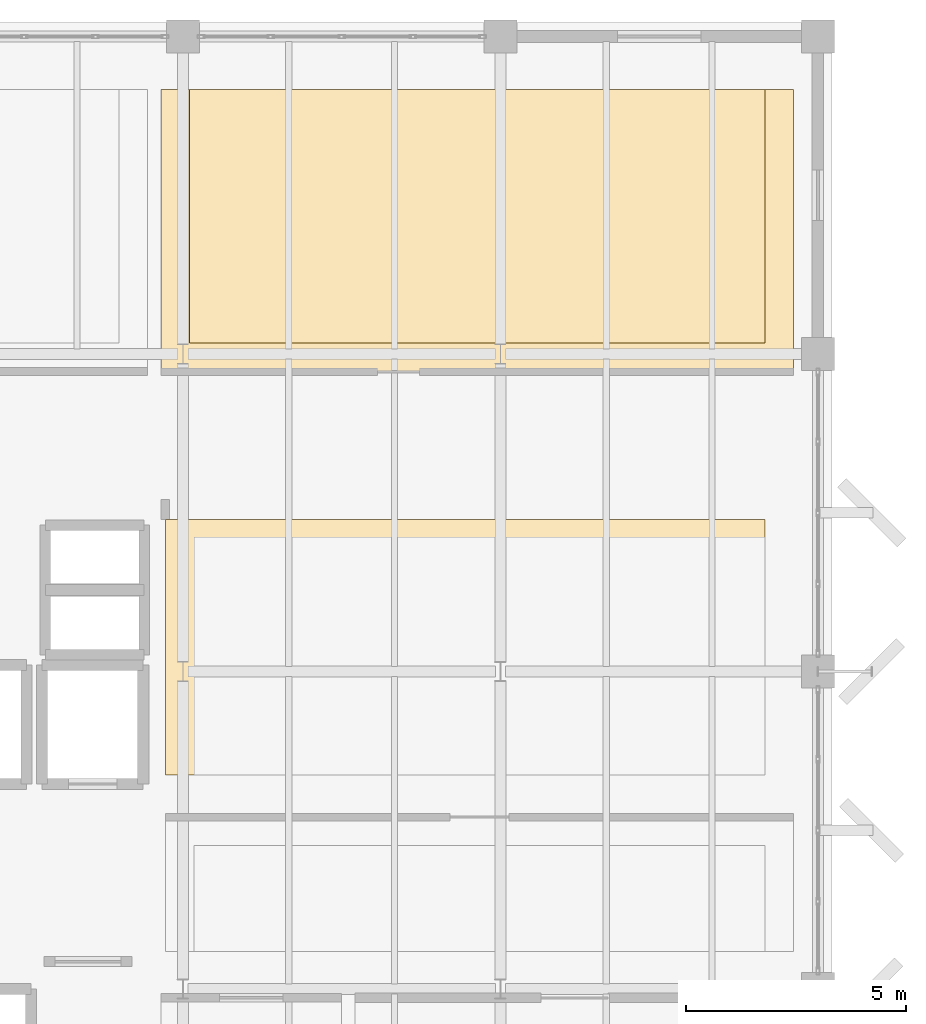
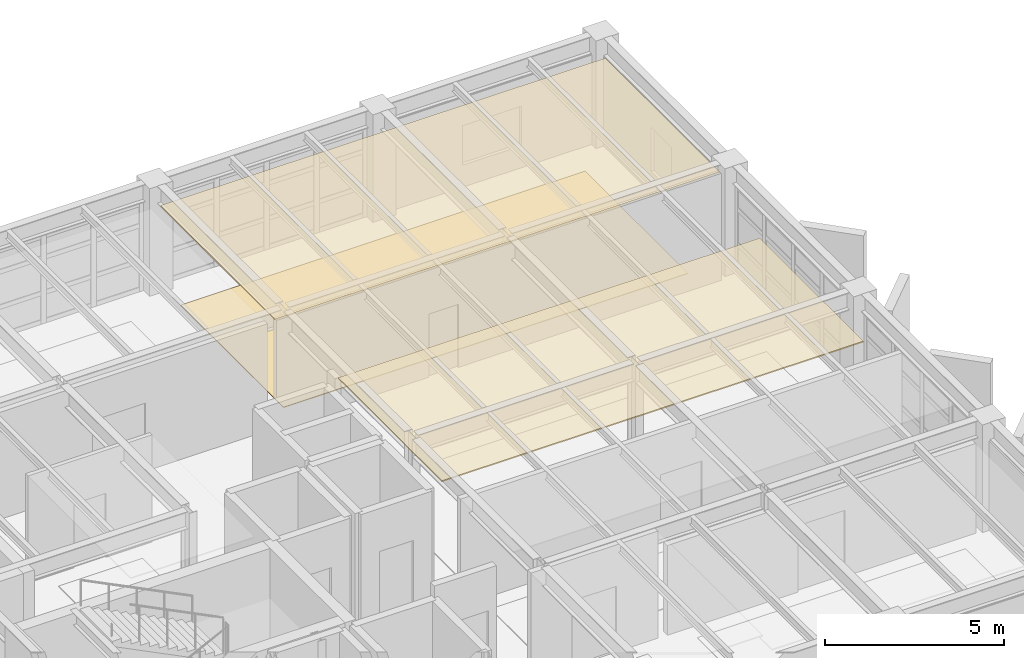
# One storey, part 24 of 24: 3 coverings.
"""IFC4 building model written with IfcOpenShell, lengths in metres."""

from ifc_helpers import new_model, si_unit, direction, frame, origin, place, context, subcontext, project, spatial, polyline, outline, extrude, material, layer, layer_set, type_object, element, save


model = new_model("IFC4")

# Units and contexts
model_context = context("Model", 3, precision=1e-05, world=origin(), true_north=direction((0.0, 1.0)))
body_context = subcontext(model_context, "Body", "Model", "MODEL_VIEW")
ifc_project = project(units=[si_unit("LENGTHUNIT", "METRE"), si_unit("AREAUNIT", "SQUARE_METRE"), si_unit("VOLUMEUNIT", "CUBIC_METRE"), si_unit("PLANEANGLEUNIT", "RADIAN"), si_unit("MASSUNIT", "GRAM", prefix="KILO")], contexts=[model_context])

# Site, building, storey
site_placement = place(None, origin())
site = spatial("IfcSite", under=ifc_project, at=site_placement, CompositionType="ELEMENT")
building_placement = place(site_placement, origin())
building = spatial("IfcBuilding", under=site, at=building_placement, Name="Kandorven Conservatory and Botanical Research Centre", CompositionType="ELEMENT")
storey_placement = place(building_placement, frame((0.0, 0.0, 21.0)))
storey = spatial("IfcBuildingStorey", under=building, at=storey_placement, Name="L05", CompositionType="ELEMENT", Elevation=21.0)

# Coverings
ifc_material_1 = material(Name="Perforated mineral-fibre acoustic ceiling tile", Category="gypsum")
ifc_layer_1 = layer(ifc_material_1, 0.0400390625)
ifc_layer_set_1 = layer_set([ifc_layer_1], Name="Perforated mineral-fibre acoustic ceiling tile")
covering_type_1 = type_object("IfcCoveringType", Name="Cov_Ceiling_1", PredefinedType="CEILING", material=ifc_layer_set_1)
covering_1_placement = place(storey_placement, frame((0.0, 0.0, 3.610107421875)))
element("IfcCovering", 1, at=covering_1_placement, inside=storey, type_object=covering_type_1, Name="Suspended acoustic ceiling CLG-01 (Botanical Curation Studio L05)", PredefinedType="CEILING", context=body_context, shape_type="SweptSolid", body=[
    extrude(outline(polyline([(27.199951171875, 18.050048828125), (40.800048828125, 18.050048828125), (40.800048828125, 23.85009765625), (27.199951171875, 23.85009765625), (27.199951171875, 18.050048828125)])), origin(), (0.0, 0.0, 1.0), 0.039794921875),
])
covering_2_placement = place(storey_placement, frame((0.0, 0.0, 3.610107421875)))
element("IfcCovering", 2, at=covering_2_placement, inside=storey, type_object=covering_type_1, Name="Suspended acoustic ceiling CLG-01 (Departmental Research Seminar Room L05)", PredefinedType="CEILING", context=body_context, shape_type="SweptSolid", body=[
    extrude(outline(polyline([(27.10009765625, 27.199951171875), (41.449951171875, 27.199951171875), (41.449951171875, 33.60009765625), (27.10009765625, 33.60009765625), (27.10009765625, 27.199951171875)])), origin(), (0.0, 0.0, 1.0), 0.039794921875),
])
ifc_material_2 = material(Name="Honed Kota stone and epoxy laboratory flooring", Category="masonry")
ifc_layer_2 = layer(ifc_material_2, 0.02490234375)
ifc_layer_set_2 = layer_set([ifc_layer_2], Name="Honed Kota stone and epoxy laboratory flooring")
covering_type_2 = type_object("IfcCoveringType", Name="Cov_Flooring_1", PredefinedType="FLOORING", material=ifc_layer_set_2)
covering_3_placement = place(storey_placement, origin())
element("IfcCovering", 3, at=covering_3_placement, inside=storey, type_object=covering_type_2, Name="Floor finish FLR-01 (Departmental Research Seminar Room L05)", PredefinedType="FLOORING", context=body_context, shape_type="SweptSolid", body=[
    extrude(outline(polyline([(27.75, 27.85009765625), (40.800048828125, 27.85009765625), (40.800048828125, 33.60009765625), (27.75, 33.60009765625), (27.75, 27.85009765625)])), origin(), (0.0, 0.0, 1.0), 0.02490234375),
])

save(model, "model.ifc")
